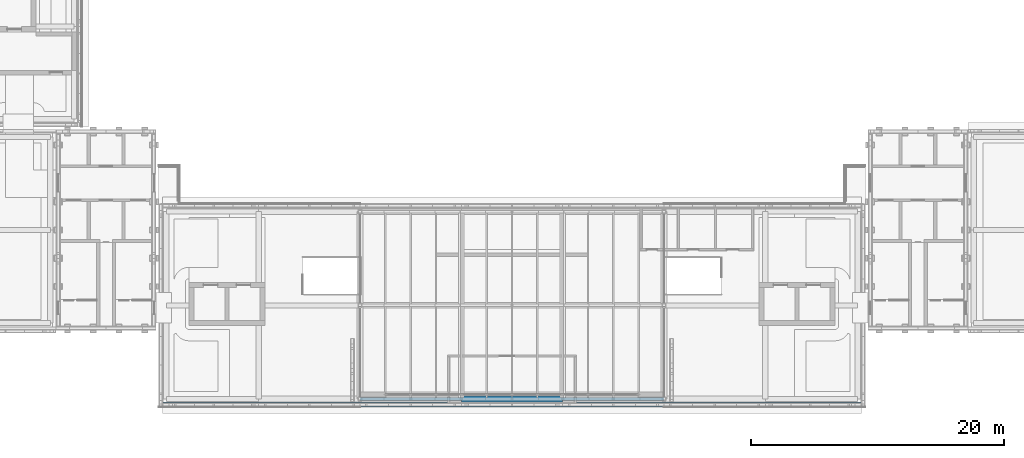
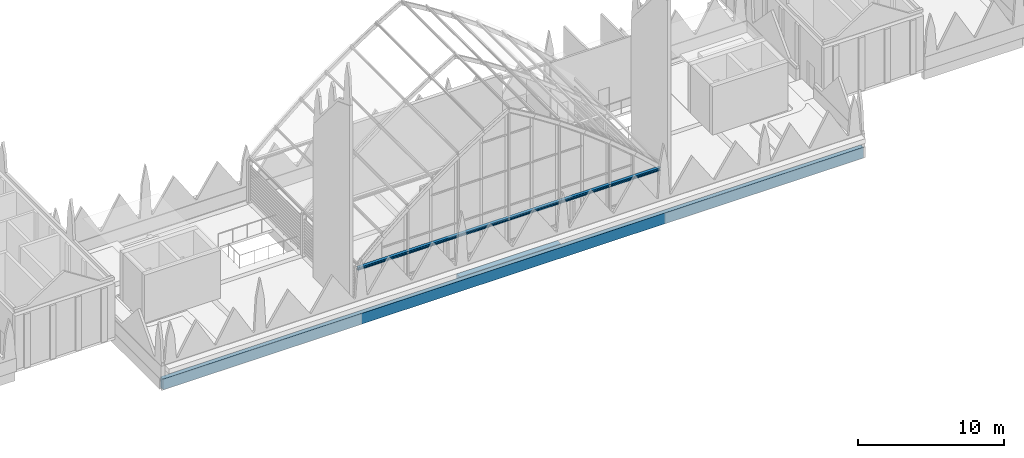
# One storey, part 5 of 18: 3 beams.
"""IFC4 building model written with IfcOpenShell, lengths in metres."""

from ifc_helpers import new_model, si_unit, direction, frame, origin, origin_2d, place, context, subcontext, project, spatial, rectangle, i_section, extrude, material, material_profile, profile_set, type_object, element, save


model = new_model("IFC4")

# Units and contexts
model_context = context("Model", 3, precision=1e-05, world=origin(), true_north=direction((0.0, 1.0)))
body_context = subcontext(model_context, "Body", "Model", "MODEL_VIEW")
ifc_project = project(units=[si_unit("LENGTHUNIT", "METRE"), si_unit("AREAUNIT", "SQUARE_METRE"), si_unit("VOLUMEUNIT", "CUBIC_METRE"), si_unit("PLANEANGLEUNIT", "RADIAN"), si_unit("MASSUNIT", "GRAM", prefix="KILO")], contexts=[model_context])

# Site, building, storey
site_placement = place(None, origin())
site = spatial("IfcSite", under=ifc_project, at=site_placement, CompositionType="ELEMENT")
building_placement = place(site_placement, origin())
building = spatial("IfcBuilding", under=site, at=building_placement, Name="Lantern Court Media Centre", CompositionType="ELEMENT")
storey_placement = place(building_placement, frame((0.0, 0.0, 33.60009765625)))
storey = spatial("IfcBuildingStorey", under=building, at=storey_placement, Name="R00", CompositionType="ELEMENT", Elevation=33.60009765625)

# Beams
ifc_material_1 = material(Name="Steel S355J2 (EN 10025-2)", Category="steel")
ifc_material_profile_1 = material_profile(ifc_material_1, i_section(OverallWidth=0.239990234375, OverallDepth=0.22998046875, WebThickness=0.007568359375, FlangeThickness=0.011962890625, FilletRadius=0.02099609375, at=origin_2d()), Name="HEA 240")
ifc_profile_set_1 = profile_set([ifc_material_profile_1], Name="Steel S355J2 (EN 10025-2)")
beam_type_1 = type_object("IfcBeamType", Name="Pavilion arch tie HEA 240", PredefinedType="BEAM", material=ifc_profile_set_1)
beam_1_placement = place(storey_placement, frame((40.0, 42.60009765625, 3.385009765625), z_axis=(1.0, 0.0, 0.0), x_axis=(0.0, 1.0, 0.0)))
element("IfcBeam", 1, at=beam_1_placement, inside=storey, type_object=beam_type_1, Name="Pavilion arch 1 tie beam", PredefinedType="BEAM", context=body_context, shape_type="SweptSolid", body=[
    extrude(i_section(OverallWidth=0.239990234375, OverallDepth=0.22998046875, WebThickness=0.007568359375, FlangeThickness=0.011962890625, FilletRadius=0.02099609375, at=origin_2d()), origin(), (0.0, 0.0, 1.0), 24.0),
])
ifc_material_2 = material(Name="Concrete C35", Category="concrete")
ifc_material_profile_2 = material_profile(ifc_material_2, rectangle(XDim=0.35009765625, YDim=0.89990234375, at=origin_2d()), Name="RC 350x900")
ifc_profile_set_2 = profile_set([ifc_material_profile_2], Name="Concrete C35")
beam_type_2 = type_object("IfcBeamType", Name="RC BEAM 350x900", PredefinedType="BEAM", material=ifc_profile_set_2)
beam_2_placement = place(storey_placement, frame((24.25, 42.14990234375, -0.4501953125), z_axis=(1.0, 0.0, 0.0), x_axis=(0.0, 1.0, 0.0)))
element("IfcBeam", 2, at=beam_2_placement, inside=storey, type_object=beam_type_2, Name="EB-S-R00-A", PredefinedType="BEAM", context=body_context, shape_type="SweptSolid", body=[
    extrude(rectangle(XDim=0.35009765625, YDim=0.89990234375, at=origin_2d()), origin(), (0.0, 0.0, 1.0), 55.5),
])
ifc_material_profile_3 = material_profile(ifc_material_2, rectangle(XDim=0.449951171875, YDim=0.699951171875, at=origin_2d()), Name="RC 450x700")
ifc_profile_set_3 = profile_set([ifc_material_profile_3], Name="Concrete C35")
beam_type_3 = type_object("IfcBeamType", Name="RC BEAM 450x700", PredefinedType="BEAM", material=ifc_profile_set_3)
beam_3_placement = place(storey_placement, frame((48.0, 42.60009765625, -0.35009765625), z_axis=(1.0, 0.0, 0.0), x_axis=(0.0, 1.0, 0.0)))
element("IfcBeam", 3, at=beam_3_placement, inside=storey, type_object=beam_type_3, Name="LB-S-R00-0-3", PredefinedType="BEAM", context=body_context, shape_type="SweptSolid", body=[
    extrude(rectangle(XDim=0.449951171875, YDim=0.699951171875, at=origin_2d()), origin(), (0.0, 0.0, 1.0), 8.0),
])

save(model, "model.ifc")
